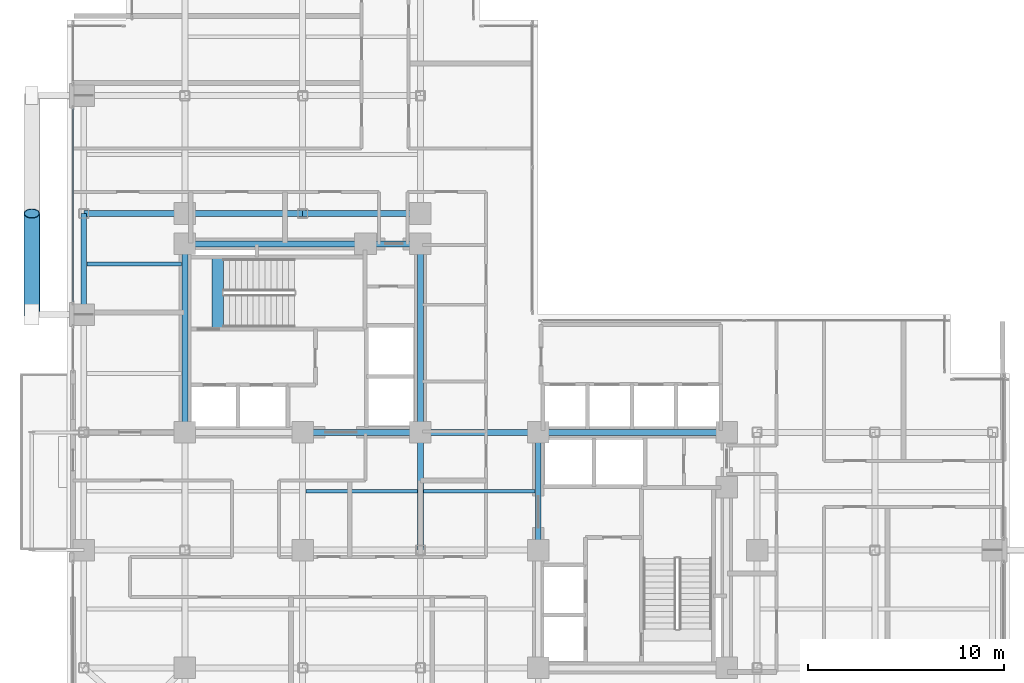
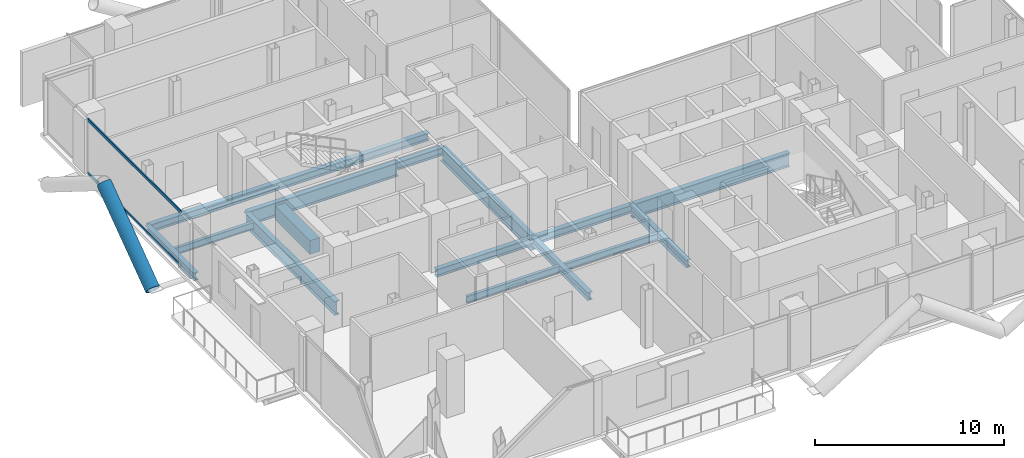
# One storey, part 7 of 24: 17 beams, 3 members, 1 element without a shape of its own.
"""IFC4 building model written with IfcOpenShell, lengths in metres."""

import ifcopenshell
import ifcopenshell.guid

model = None  # the IFC model being written
_history = None  # IfcOwnerHistory: only IFC2X3 demands one
_inside = {}  # id of a spatial element -> (the spatial element, [elements in it])
_under = {}  # id of a project, library or spatial element -> (it, [spatial elements below it])
_declared = {}  # id of a project -> (the project, [libraries it declares])
_typed = {}  # id of a type object -> (the type object, [elements of that type])
_made_of = {}  # id of a material, layer set ... -> (it, [elements and type objects made of it])


def new_model(schema):
    """Start an empty IFC model of exactly this schema.

    Asked for "IFC4X3", IfcOpenShell would pick the latest addendum, in which some entities
    have other attributes; the version numbers below select the first issue.
    IFC2X3 requires an IfcOwnerHistory on every rooted entity: one is made here for all.
    """
    global model, _history
    if schema == "IFC4X3":
        model = ifcopenshell.file(schema_version=(4, 3, 0, 0))
    else:
        model = ifcopenshell.file(schema=schema)
    _inside.clear()
    _under.clear()
    _declared.clear()
    _typed.clear()
    _made_of.clear()
    _history = None
    if model.schema == "IFC2X3":
        org = make("IfcOrganization", Name="unknown")
        user = make(
            "IfcPersonAndOrganization",
            ThePerson=make("IfcPerson", FamilyName="unknown"),
            TheOrganization=org,
        )
        app = make(
            "IfcApplication",
            ApplicationDeveloper=org,
            Version="unknown",
            ApplicationFullName="unknown",
            ApplicationIdentifier="unknown",
        )
        _history = make(
            "IfcOwnerHistory",
            OwningUser=user,
            OwningApplication=app,
            ChangeAction="ADDED",
            CreationDate=0,
        )
    return model


def make(cls, **values):
    """One entity of the class cls with the attributes given. An attribute that is None is left unset."""
    return model.create_entity(
        cls, **{name: value for name, value in values.items() if value is not None}
    )


def rooted(cls, **values):
    """An entity with a GlobalId (a new one), such as an element, a storey or a relation."""
    return make(cls, GlobalId=ifcopenshell.guid.new(), OwnerHistory=_history, **values)


def si_unit(unit_type, name, prefix=None):
    """IfcSIUnit, for example si_unit("LENGTHUNIT", "METRE", prefix="MILLI")."""
    return make("IfcSIUnit", UnitType=unit_type, Prefix=prefix, Name=name)


def assignment(units):
    """IfcUnitAssignment: the units of a project."""
    return None if units is None else make("IfcUnitAssignment", Units=units)


def point(xyz):
    """IfcCartesianPoint."""
    return None if xyz is None else make("IfcCartesianPoint", Coordinates=xyz)


def direction(xyz):
    """IfcDirection."""
    return None if xyz is None else make("IfcDirection", DirectionRatios=xyz)


def frame(location, z_axis=None, x_axis=None):
    """IfcAxis2Placement3D, a coordinate frame: its origin and axes. An axis left out is left unset."""
    return make(
        "IfcAxis2Placement3D",
        Location=point(location),
        Axis=direction(z_axis),
        RefDirection=direction(x_axis),
    )


def frame_2d(location, x_axis=None):
    """IfcAxis2Placement2D, a coordinate frame in the plane: its origin and x axis."""
    return make(
        "IfcAxis2Placement2D", Location=point(location), RefDirection=direction(x_axis)
    )


def origin():
    """The frame at (0, 0, 0) with its axes left unset."""
    return frame((0.0, 0.0, 0.0))


def origin_2d():
    """The frame at (0, 0) in the plane with its x axis left unset."""
    return frame_2d((0.0, 0.0))


def place(relative_to, where):
    """IfcLocalPlacement: puts the frame where relative to a parent placement (None: the world)."""
    return make(
        "IfcLocalPlacement", PlacementRelTo=relative_to, RelativePlacement=where
    )


def context(
    kind, dimensions, precision=None, world=None, true_north=None, identifier=None
):
    """IfcGeometricRepresentationContext, for example the 3D "Model" context."""
    return make(
        "IfcGeometricRepresentationContext",
        ContextIdentifier=identifier,
        ContextType=kind,
        CoordinateSpaceDimension=dimensions,
        Precision=precision,
        WorldCoordinateSystem=world,
        TrueNorth=true_north,
    )


def subcontext(parent, identifier, kind, view, scale=None):
    """IfcGeometricRepresentationSubContext, for example "Body" below "Model"."""
    return make(
        "IfcGeometricRepresentationSubContext",
        ContextIdentifier=identifier,
        ContextType=kind,
        ParentContext=parent,
        TargetScale=scale,
        TargetView=view,
    )


def project(units=None, contexts=None):
    """IfcProject with its units and contexts."""
    return rooted(
        "IfcProject",
        Name="project",
        RepresentationContexts=contexts,
        UnitsInContext=assignment(units),
    )


def spatial(cls, under=None, at=None, **own):
    """A site, building, storey or space (cls), placed at a placement, below another one or the project."""
    s = rooted(cls, ObjectPlacement=at, **own)
    if under is not None:
        _under.setdefault(under.id(), (under, []))[1].append(s)
    return s


def profile(cls, at=None, kind="AREA", **sizes):
    """A parametric profile (cls). Its sizes go by their IFC names, for example OverallWidth=200.0."""
    return make(cls, ProfileType=kind, Position=at, **sizes)


def rectangle(**sizes):
    """IfcRectangleProfileDef."""
    return profile("IfcRectangleProfileDef", **sizes)


def hollow_rectangle(**sizes):
    """IfcRectangleHollowProfileDef."""
    return profile("IfcRectangleHollowProfileDef", **sizes)


def hollow_circle(**sizes):
    """IfcCircleHollowProfileDef."""
    return profile("IfcCircleHollowProfileDef", **sizes)


def i_section(**sizes):
    """IfcIShapeProfileDef."""
    return profile("IfcIShapeProfileDef", **sizes)


def extrude(swept, where, along, depth):
    """IfcExtrudedAreaSolid: the profile swept, set in the frame where, extruded along a direction by depth."""
    return make(
        "IfcExtrudedAreaSolid",
        SweptArea=swept,
        Position=where,
        ExtrudedDirection=direction(along),
        Depth=depth,
    )


def shape(context_of_items, identifier, shape_type, items):
    """IfcShapeRepresentation: the items that make up one representation, for example the "Body"."""
    return make(
        "IfcShapeRepresentation",
        ContextOfItems=context_of_items,
        RepresentationIdentifier=identifier,
        RepresentationType=shape_type,
        Items=items,
    )


def material(Name=None, Category=None):
    """IfcMaterial."""
    return make("IfcMaterial", Name=Name, Category=Category)


def layer(
    of_material, thickness, ventilated=None, Name=None, Category=None, Priority=None
):
    """IfcMaterialLayer: one layer of a wall or slab, of a material (None: an air gap)."""
    return make(
        "IfcMaterialLayer",
        Material=of_material,
        LayerThickness=thickness,
        IsVentilated=ventilated,
        Name=Name,
        Category=Category,
        Priority=Priority,
    )


def layer_set(layers, Name=None):
    """IfcMaterialLayerSet."""
    return make("IfcMaterialLayerSet", MaterialLayers=layers, LayerSetName=Name)


def material_profile(
    of_material, cross_section, Name=None, Category=None, Priority=None
):
    """IfcMaterialProfile: a cross section and its material."""
    return make(
        "IfcMaterialProfile",
        Name=Name,
        Material=of_material,
        Profile=cross_section,
        Priority=Priority,
        Category=Category,
    )


def profile_set(profiles, Name=None, composite=None):
    """IfcMaterialProfileSet."""
    return make(
        "IfcMaterialProfileSet",
        Name=Name,
        MaterialProfiles=profiles,
        CompositeProfile=composite,
    )


def made_of(thing, what):
    """Note that an element or type object is made of a material, layer set ...; save() writes the relation."""
    if what is not None:
        _made_of.setdefault(what.id(), (what, []))[1].append(thing)
    return thing


def type_object(cls, material=None, **own):
    """A type object (cls), such as IfcWallType, which elements share."""
    return made_of(rooted(cls, **own), material)


def element(
    cls,
    number,
    at=None,
    inside=None,
    cuts=None,
    type_object=None,
    material=None,
    context=None,
    identifier="Body",
    shape_type=None,
    held_by="IfcProductDefinitionShape",
    body=None,
    shapes=None,
    **own,
):
    """One element of the class cls, such as IfcWall. Its Tag is "e" and its number.

    at: its placement. inside: the storey or other place that contains it. cuts: it is an
    opening in that element (IfcRelVoidsElement). A single representation is given by context,
    identifier, shape_type and body (its items); several are given by shapes. held_by: the class
    of the entity that holds the representations. save() writes the other relations.
    """
    e = rooted(cls, Tag="e%d" % number, ObjectPlacement=at, **own)
    if body is not None:
        shapes = [shape(context, identifier, shape_type, body)]
    if shapes is not None:
        e.Representation = make(held_by, Representations=shapes)
    if inside is not None:
        _inside.setdefault(inside.id(), (inside, []))[1].append(e)
    if cuts is not None:
        rooted(
            "IfcRelVoidsElement", RelatingBuildingElement=cuts, RelatedOpeningElement=e
        )
    if type_object is not None:
        _typed.setdefault(type_object.id(), (type_object, []))[1].append(e)
    return made_of(e, material)


def aggregate(whole, parts):
    """IfcRelAggregates: a whole, such as a stair, and the parts it consists of."""
    return rooted("IfcRelAggregates", RelatingObject=whole, RelatedObjects=parts)


def save(model, path):
    """Write the relations noted so far, then the file.

    IfcRelAggregates (storeys below a building ...), IfcRelContainedInSpatialStructure (elements
    in a storey), IfcRelDefinesByType, IfcRelAssociatesMaterial and IfcRelDeclares: one each for
    every whole, place, type object, material and project.
    """
    for whole, parts in _under.values():
        aggregate(whole, parts)
    for where, things in _inside.values():
        rooted(
            "IfcRelContainedInSpatialStructure",
            RelatedElements=things,
            RelatingStructure=where,
        )
    for kind, things in _typed.values():
        rooted("IfcRelDefinesByType", RelatedObjects=things, RelatingType=kind)
    for what, things in _made_of.values():
        rooted("IfcRelAssociatesMaterial", RelatedObjects=things, RelatingMaterial=what)
    for by, libraries in _declared.values():
        rooted("IfcRelDeclares", RelatingContext=by, RelatedDefinitions=libraries)
    model.write(path)


model = new_model("IFC4")

# Units and contexts
model_context = context("Model", 3, precision=1e-05, world=origin(), true_north=direction((0.0, 1.0)))
body_context = subcontext(model_context, "Body", "Model", "MODEL_VIEW")
ifc_project = project(units=[si_unit("LENGTHUNIT", "METRE"), si_unit("AREAUNIT", "SQUARE_METRE"), si_unit("VOLUMEUNIT", "CUBIC_METRE"), si_unit("PLANEANGLEUNIT", "RADIAN"), si_unit("MASSUNIT", "GRAM", prefix="KILO"), si_unit("THERMODYNAMICTEMPERATUREUNIT", "KELVIN"), si_unit("POWERUNIT", "WATT")], contexts=[model_context])

# Site, building, storey
site_placement = place(None, origin())
site = spatial("IfcSite", under=ifc_project, at=site_placement, CompositionType="ELEMENT")
building_placement = place(site_placement, origin())
building = spatial("IfcBuilding", under=site, at=building_placement, Name="Svarakhadi Broadcast Tower", CompositionType="ELEMENT")
storey_placement = place(building_placement, frame((0.0, 0.0, 130.64990234375)))
storey = spatial("IfcBuildingStorey", under=building, at=storey_placement, Name="L31", CompositionType="ELEMENT", Elevation=130.64990234375)

# Beams
ifc_material_1 = material(Name="Steel S355J2 (IS 2062 E350C)", Category="steel")
ifc_material_profile_1 = material_profile(ifc_material_1, i_section(OverallWidth=0.18994140625, OverallDepth=0.449951171875, WebThickness=0.009521484375, FlangeThickness=0.0146484375, FilletRadius=0.02099609375, at=origin_2d()), Name="NPB 450x190x78")
ifc_profile_set_1 = profile_set([ifc_material_profile_1], Name="Steel S355J2 (IS 2062 E350C)")
beam_type_1 = type_object("IfcBeamType", Name="Beam_NPB450", PredefinedType="BEAM", material=ifc_profile_set_1)
beam_1_placement = place(storey_placement, frame((1.010009765625, 26.574951171875, -0.449951171875), z_axis=(1.0, 0.0, 0.0), x_axis=(0.0, 1.0, 0.0)))
element("IfcBeam", 1, at=beam_1_placement, inside=storey, type_object=beam_type_1, Name="L31 Secondary Composite Beam SB004", PredefinedType="BEAM", context=body_context, shape_type="SweptSolid", body=[
    extrude(i_section(OverallWidth=0.18994140625, OverallDepth=0.449951171875, WebThickness=0.009521484375, FlangeThickness=0.0146484375, FilletRadius=0.02099609375, at=origin_2d()), origin(), (0.0, 0.0, 1.0), 4.830078125),
])
for number, where, z_axis, x_axis, name in (
    (2, (12.159912109375, 15.0, -0.449951171875), (1.0, 0.0, 0.0), (0.0, 1.0, 0.0), "L31 Secondary Composite Beam SB013"),
    (3, (18.159912109375, 15.0, -0.449951171875), (1.0, 0.0, 0.0), (0.0, 1.0, 0.0), "L31 Secondary Composite Beam SB018"),
):
    element("IfcBeam", number, at=place(storey_placement, frame(where, z_axis=z_axis, x_axis=x_axis)), inside=storey, type_object=beam_type_1, Name=name, PredefinedType="BEAM", context=body_context, shape_type="SweptSolid", body=[
        extrude(i_section(OverallWidth=0.18994140625, OverallDepth=0.449951171875, WebThickness=0.009521484375, FlangeThickness=0.0146484375, FilletRadius=0.02099609375, at=origin_2d()), origin(), (0.0, 0.0, 1.0), 5.68017578125),
    ])

# Curtain wall, members
ifc_material_2 = material(Name="Anodised Bronze Aluminium AA 6063-T6", Category="aluminium")
ifc_layer = layer(ifc_material_2, 0.199951171875)
ifc_layer_set = layer_set([ifc_layer], Name="Anodised Bronze Aluminium AA 6063-T6")
curtain_wall_type = type_object("IfcCurtainWallType", Name="CW_Sys_03", PredefinedType="NOTDEFINED", material=ifc_layer_set)
curtain_wall_placement = place(storey_placement, origin())
curtain_wall = element("IfcCurtainWall", 4, at=curtain_wall_placement, inside=storey, type_object=curtain_wall_type, Name="L31 West Curtain Wall 03 Bay 2", PredefinedType="NOTDEFINED")
ifc_material_profile_2 = material_profile(ifc_material_2, hollow_rectangle(XDim=0.070068359375, YDim=0.18505859375, WallThickness=0.0048828125, at=origin_2d()), Name="ALU TRANSOM 185x70x5")
ifc_profile_set_2 = profile_set([ifc_material_profile_2], Name="Anodised Bronze Aluminium AA 6063-T6")
member_type_1 = type_object("IfcMemberType", Name="CW_Sys_03_Trn", PredefinedType="USERDEFINED", material=ifc_profile_set_2)
member_1_placement = place(storey_placement, frame((0.300048828125, 24.64501953125, 0.03515625), z_axis=(0.0, 1.0, 0.0), x_axis=(-1.0, 0.0, 0.0)))
member_1 = element("IfcMember", 5, at=member_1_placement, type_object=member_type_1, Name="CW-03 transom 1.1", ObjectType="TRANSOM", PredefinedType="USERDEFINED", context=body_context, shape_type="SweptSolid", body=[
    extrude(hollow_rectangle(XDim=0.070068359375, YDim=0.18505859375, WallThickness=0.0048828125, at=origin_2d()), origin(), (0.0, 0.0, 1.0), 9.85986328125),
])
member_2_placement = place(storey_placement, frame((0.300048828125, 24.64501953125, 3.489990234375), z_axis=(0.0, 1.0, 0.0), x_axis=(-1.0, 0.0, 0.0)))
member_2 = element("IfcMember", 6, at=member_2_placement, type_object=member_type_1, Name="CW-03 transom 1.2", ObjectType="TRANSOM", PredefinedType="USERDEFINED", context=body_context, shape_type="SweptSolid", body=[
    extrude(hollow_rectangle(XDim=0.070068359375, YDim=0.18505859375, WallThickness=0.0048828125, at=origin_2d()), origin(), (0.0, 0.0, 1.0), 9.85986328125),
])
aggregate(curtain_wall, [member_1, member_2])

# Beam
ifc_material_3 = material(Name="Concrete C50/60 (IS 456 M60)", Category="concrete")
ifc_material_profile_3 = material_profile(ifc_material_3, rectangle(XDim=0.60009765625, YDim=0.89990234375, at=origin_2d()), Name="RC 600x900")
ifc_profile_set_3 = profile_set([ifc_material_profile_3], Name="Concrete C50/60 (IS 456 M60)")
beam_type_2 = type_object("IfcBeamType", Name="Coupling_RC600", PredefinedType="USERDEFINED", material=ifc_profile_set_3)
beam_2_placement = place(storey_placement, frame((7.679931640625, 23.260009765625, -0.449951171875), z_axis=(0.0, 1.0, 0.0), x_axis=(-1.0, 0.0, 0.0)))
element("IfcBeam", 7, at=beam_2_placement, inside=storey, type_object=beam_type_2, Name="L31 Stair ST-01 Landing Throat Trimmer Beam CB-01", ObjectType="GIRDER", PredefinedType="USERDEFINED", context=body_context, shape_type="SweptSolid", body=[
    extrude(rectangle(XDim=0.60009765625, YDim=0.89990234375, at=origin_2d()), origin(), (0.0, 0.0, 1.0), 3.679931640625),
])

# Member
ifc_material_4 = material(Name="Steel S460ML (IS 2062 E450BR)", Category="steel")
ifc_material_profile_4 = material_profile(ifc_material_4, hollow_circle(Radius=0.406494140625, WallThickness=0.0400390625, at=origin_2d()), Name="CHS 813x40")
ifc_profile_set_4 = profile_set([ifc_material_profile_4], Name="Steel S460ML (IS 2062 E450BR)")
member_type_2 = type_object("IfcMemberType", Name="Exo_Brace_CHS813", PredefinedType="BRACE", material=ifc_profile_set_4)
member_3_placement = place(storey_placement, frame((-1.800048828125, 24.0, -0.386962890625), z_axis=(0.0, 0.808391243061, 0.588645562407), x_axis=(-1.0, 0.0, 0.0)))
element("IfcMember", 8, at=member_3_placement, inside=storey, type_object=member_type_2, Name="L31 Exposed Bronze Exoskeleton Diagonal W04", PredefinedType="BRACE", context=body_context, shape_type="SweptSolid", body=[
    extrude(hollow_circle(Radius=0.406494140625, WallThickness=0.0400390625, at=origin_2d()), origin(), (0.0, 0.0, 1.0), 6.37060546875),
])

# Beams
ifc_material_profile_5 = material_profile(ifc_material_1, i_section(OverallWidth=0.300048828125, OverallDepth=0.5, WebThickness=0.014404296875, FlangeThickness=0.028076171875, FilletRadius=0.027099609375, at=origin_2d()), Name="WPB 500x300x187")
ifc_profile_set_5 = profile_set([ifc_material_profile_5], Name="Steel S355J2 (IS 2062 E350C)")
beam_type_3 = type_object("IfcBeamType", Name="Girder_WPB500", PredefinedType="USERDEFINED", material=ifc_profile_set_5)
for number, where, z_axis, x_axis, name in (
    (9, (12.0, 18.0, -0.474853515625), (1.0, 0.0, 0.0), (0.0, 1.0, 0.0), "L31 Primary E-W Girder G025"),
    (10, (18.0, 18.0, -0.474853515625), (1.0, 0.0, 0.0), (0.0, 1.0, 0.0), "L31 Primary E-W Girder G026"),
):
    element("IfcBeam", number, at=place(storey_placement, frame(where, z_axis=z_axis, x_axis=x_axis)), inside=storey, type_object=beam_type_3, Name=name, ObjectType="GIRDER", PredefinedType="USERDEFINED", context=body_context, shape_type="SweptSolid", body=[
        extrude(i_section(OverallWidth=0.300048828125, OverallDepth=0.5, WebThickness=0.014404296875, FlangeThickness=0.028076171875, FilletRadius=0.027099609375, at=origin_2d()), origin(), (0.0, 0.0, 1.0), 6.0),
    ])
beam_3_placement = place(storey_placement, frame((15.199951171875, 27.60009765625, -0.474853515625), z_axis=(1.0, 0.0, 0.0), x_axis=(0.0, 1.0, 0.0)))
element("IfcBeam", 11, at=beam_3_placement, inside=storey, type_object=beam_type_3, Name="L31 Primary E-W Girder G031", ObjectType="GIRDER", PredefinedType="USERDEFINED", context=body_context, shape_type="SweptSolid", body=[
    extrude(i_section(OverallWidth=0.300048828125, OverallDepth=0.5, WebThickness=0.014404296875, FlangeThickness=0.028076171875, FilletRadius=0.027099609375, at=origin_2d()), origin(), (0.0, 0.0, 1.0), 2.800048828125),
])
beam_4_placement = place(storey_placement, frame((0.85009765625, 29.14990234375, -0.474853515625), z_axis=(1.0, 0.0, 0.0), x_axis=(0.0, 1.0, 0.0)))
element("IfcBeam", 12, at=beam_4_placement, inside=storey, type_object=beam_type_3, Name="L31 Primary E-W Girder G032", ObjectType="GIRDER", PredefinedType="USERDEFINED", context=body_context, shape_type="SweptSolid", body=[
    extrude(i_section(OverallWidth=0.300048828125, OverallDepth=0.5, WebThickness=0.014404296875, FlangeThickness=0.028076171875, FilletRadius=0.027099609375, at=origin_2d()), origin(), (0.0, 0.0, 1.0), 5.14990234375),
])
for number, where, z_axis, x_axis, name in (
    (13, (6.0, 29.14990234375, -0.474853515625), (1.0, 0.0, 0.0), (0.0, 1.0, 0.0), "L31 Primary E-W Girder G033"),
    (14, (12.0, 29.14990234375, -0.474853515625), (1.0, 0.0, 0.0), (0.0, 1.0, 0.0), "L31 Primary E-W Girder G034"),
):
    element("IfcBeam", number, at=place(storey_placement, frame(where, z_axis=z_axis, x_axis=x_axis)), inside=storey, type_object=beam_type_3, Name=name, ObjectType="GIRDER", PredefinedType="USERDEFINED", context=body_context, shape_type="SweptSolid", body=[
        extrude(i_section(OverallWidth=0.300048828125, OverallDepth=0.5, WebThickness=0.014404296875, FlangeThickness=0.028076171875, FilletRadius=0.027099609375, at=origin_2d()), origin(), (0.0, 0.0, 1.0), 6.0),
    ])
beam_5_placement = place(storey_placement, frame((0.85009765625, 24.0, -0.474853515625), z_axis=(0.0, 1.0, 0.0), x_axis=(-1.0, 0.0, 0.0)))
element("IfcBeam", 15, at=beam_5_placement, inside=storey, type_object=beam_type_3, Name="L31 Primary N-S Girder G043", ObjectType="GIRDER", PredefinedType="USERDEFINED", context=body_context, shape_type="SweptSolid", body=[
    extrude(i_section(OverallWidth=0.300048828125, OverallDepth=0.5, WebThickness=0.014404296875, FlangeThickness=0.028076171875, FilletRadius=0.027099609375, at=origin_2d()), origin(), (0.0, 0.0, 1.0), 5.14990234375),
])
for number, where, z_axis, x_axis, name in (
    (16, (18.0, 12.0, -0.474853515625), (0.0, 1.0, 0.0), (-1.0, 0.0, 0.0), "L31 Primary N-S Girder G058"),
    (17, (24.0, 12.0, -0.474853515625), (0.0, 1.0, 0.0), (-1.0, 0.0, 0.0), "L31 Primary N-S Girder G064"),
):
    element("IfcBeam", number, at=place(storey_placement, frame(where, z_axis=z_axis, x_axis=x_axis)), inside=storey, type_object=beam_type_3, Name=name, ObjectType="GIRDER", PredefinedType="USERDEFINED", context=body_context, shape_type="SweptSolid", body=[
        extrude(i_section(OverallWidth=0.300048828125, OverallDepth=0.5, WebThickness=0.014404296875, FlangeThickness=0.028076171875, FilletRadius=0.027099609375, at=origin_2d()), origin(), (0.0, 0.0, 1.0), 6.0),
    ])
ifc_material_profile_6 = material_profile(ifc_material_4, i_section(OverallWidth=0.300048828125, OverallDepth=0.89990234375, WebThickness=0.0185546875, FlangeThickness=0.034912109375, FilletRadius=0.030029296875, at=origin_2d()), Name="WPB 900x300x291")
ifc_profile_set_6 = profile_set([ifc_material_profile_6], Name="Steel S460ML (IS 2062 E450BR)")
beam_type_4 = type_object("IfcBeamType", Name="Girder_WPB900", PredefinedType="USERDEFINED", material=ifc_profile_set_6)
beam_6_placement = place(storey_placement, frame((24.0, 18.0, -0.6748046875), z_axis=(1.0, 0.0, 0.0), x_axis=(0.0, 1.0, 0.0)))
element("IfcBeam", 18, at=beam_6_placement, inside=storey, type_object=beam_type_4, Name="L31 Primary E-W Girder G027", ObjectType="GIRDER", PredefinedType="USERDEFINED", context=body_context, shape_type="SweptSolid", body=[
    extrude(i_section(OverallWidth=0.300048828125, OverallDepth=0.89990234375, WebThickness=0.0185546875, FlangeThickness=0.034912109375, FilletRadius=0.030029296875, at=origin_2d()), origin(), (0.0, 0.0, 1.0), 9.60009765625),
])
beam_7_placement = place(storey_placement, frame((6.0, 27.60009765625, -0.6748046875), z_axis=(1.0, 0.0, 0.0), x_axis=(0.0, 1.0, 0.0)))
element("IfcBeam", 19, at=beam_7_placement, inside=storey, type_object=beam_type_4, Name="L31 Primary E-W Girder G030", ObjectType="GIRDER", PredefinedType="USERDEFINED", context=body_context, shape_type="SweptSolid", body=[
    extrude(i_section(OverallWidth=0.300048828125, OverallDepth=0.89990234375, WebThickness=0.0185546875, FlangeThickness=0.034912109375, FilletRadius=0.030029296875, at=origin_2d()), origin(), (0.0, 0.0, 1.0), 9.199951171875),
])
for number, where, z_axis, x_axis, name in (
    (20, (6.0, 18.0, -0.6748046875), (0.0, 1.0, 0.0), (-1.0, 0.0, 0.0), "L31 Primary N-S Girder G048"),
    (21, (18.0, 18.0, -0.6748046875), (0.0, 1.0, 0.0), (-1.0, 0.0, 0.0), "L31 Primary N-S Girder G059"),
):
    element("IfcBeam", number, at=place(storey_placement, frame(where, z_axis=z_axis, x_axis=x_axis)), inside=storey, type_object=beam_type_4, Name=name, ObjectType="GIRDER", PredefinedType="USERDEFINED", context=body_context, shape_type="SweptSolid", body=[
        extrude(i_section(OverallWidth=0.300048828125, OverallDepth=0.89990234375, WebThickness=0.0185546875, FlangeThickness=0.034912109375, FilletRadius=0.030029296875, at=origin_2d()), origin(), (0.0, 0.0, 1.0), 9.60009765625),
    ])

save(model, "model.ifc")
